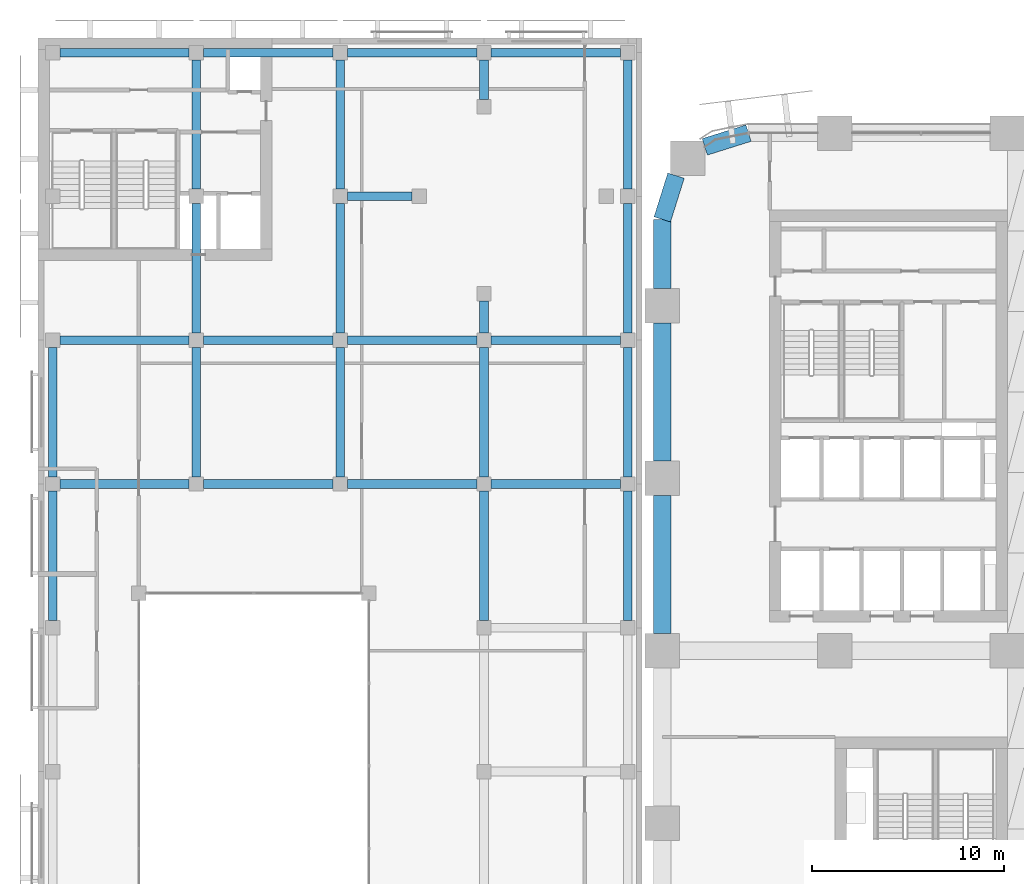
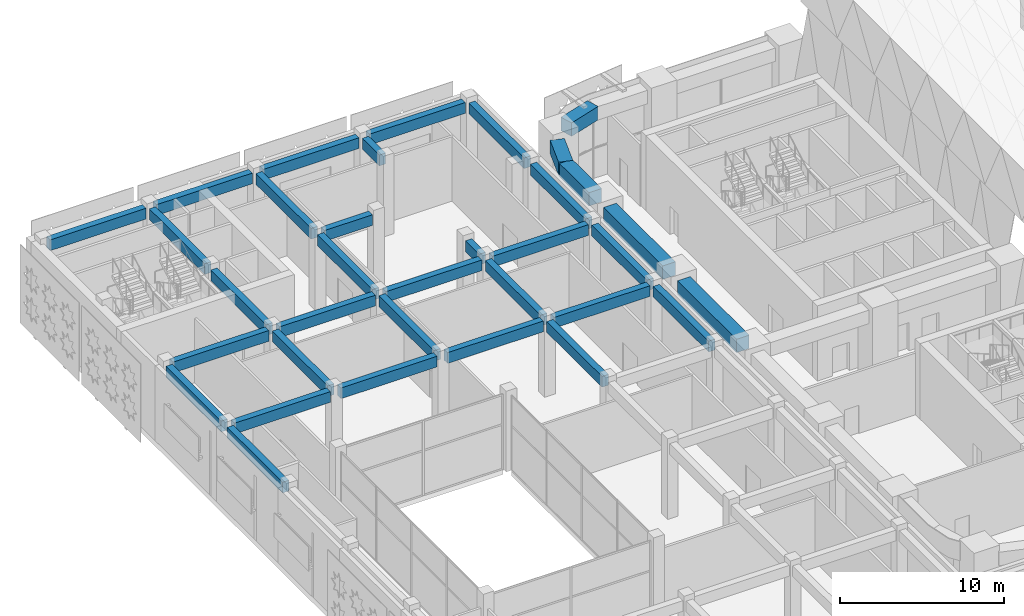
# One storey, part 7 of 46: 34 beams.
"""IFC4 building model written with IfcOpenShell, lengths in metres."""

from ifc_helpers import new_model, si_unit, direction, frame, origin, origin_2d, place, context, subcontext, project, spatial, rectangle, extrude, material, material_profile, profile_set, type_object, element, save


model = new_model("IFC4")

# Units and contexts
model_context = context("Model", 3, precision=1e-05, world=origin(), true_north=direction((0.0, 1.0)))
body_context = subcontext(model_context, "Body", "Model", "MODEL_VIEW")
ifc_project = project(units=[si_unit("LENGTHUNIT", "METRE"), si_unit("AREAUNIT", "SQUARE_METRE"), si_unit("VOLUMEUNIT", "CUBIC_METRE"), si_unit("PLANEANGLEUNIT", "RADIAN"), si_unit("MASSUNIT", "GRAM", prefix="KILO")], contexts=[model_context])

# Site, building, storey
site_placement = place(None, origin())
site = spatial("IfcSite", under=ifc_project, at=site_placement, CompositionType="ELEMENT")
building_placement = place(site_placement, origin())
building = spatial("IfcBuilding", under=site, at=building_placement, Name="Tessera Arch", CompositionType="ELEMENT")
storey_placement = place(building_placement, frame((0.0, 0.0, 8.0)))
storey = spatial("IfcBuildingStorey", under=building, at=storey_placement, Name="L01", CompositionType="ELEMENT", Elevation=8.0)

# Beams
ifc_material_1 = material(Name="Concrete C40/50", Category="concrete")
ifc_material_profile_1 = material_profile(ifc_material_1, rectangle(XDim=0.449951171875, YDim=0.800048828125, at=origin_2d()), Name="Museum beam 450 x 800 Concrete C40/50")
ifc_profile_set_1 = profile_set([ifc_material_profile_1], Name="Concrete C40/50")
beam_type_1 = type_object("IfcBeamType", Name="Museum beam 450 x 800 Concrete C40/50", PredefinedType="BEAM", material=ifc_profile_set_1)
for number, where, z_axis, x_axis, name in (
    (1, (-31.800048828125, 28.574951171875, 5.18994140625), (0.0, 1.0, 0.0), (-1.0, 0.0, 0.0), "Museum beam L01 8"),
    (2, (-31.800048828125, 36.074951171875, 5.18994140625), (0.0, 1.0, 0.0), (-1.0, 0.0, 0.0), "Museum beam L01 9"),
    (3, (-24.300048828125, 36.074951171875, 5.18994140625), (0.0, 1.0, 0.0), (-1.0, 0.0, 0.0), "Museum beam L01 13"),
    (4, (-24.300048828125, 43.574951171875, 5.18994140625), (0.0, 1.0, 0.0), (-1.0, 0.0, 0.0), "Museum beam L01 14"),
    (5, (-24.300048828125, 51.074951171875, 5.18994140625), (0.0, 1.0, 0.0), (-1.0, 0.0, 0.0), "Museum beam L01 15"),
    (6, (-16.800048828125, 36.074951171875, 5.18994140625), (0.0, 1.0, 0.0), (-1.0, 0.0, 0.0), "Museum beam L01 18"),
    (7, (-16.800048828125, 43.574951171875, 5.18994140625), (0.0, 1.0, 0.0), (-1.0, 0.0, 0.0), "Museum beam L01 19"),
    (8, (-16.800048828125, 51.074951171875, 5.18994140625), (0.0, 1.0, 0.0), (-1.0, 0.0, 0.0), "Museum beam L01 20"),
    (9, (-9.300048828125, 28.574951171875, 5.18994140625), (0.0, 1.0, 0.0), (-1.0, 0.0, 0.0), "Museum beam L01 30"),
    (10, (-9.300048828125, 36.074951171875, 5.18994140625), (0.0, 1.0, 0.0), (-1.0, 0.0, 0.0), "Museum beam L01 31"),
):
    element("IfcBeam", number, at=place(storey_placement, frame(where, z_axis=z_axis, x_axis=x_axis)), inside=storey, type_object=beam_type_1, Name=name, PredefinedType="BEAM", context=body_context, shape_type="SweptSolid", body=[
        extrude(rectangle(XDim=0.449951171875, YDim=0.800048828125, at=origin_2d()), origin(), (0.0, 0.0, 1.0), 6.75),
    ])
beam_1_placement = place(storey_placement, frame((-9.300048828125, 43.574951171875, 5.18994140625), z_axis=(0.0, 1.0, 0.0), x_axis=(-1.0, 0.0, 0.0)))
element("IfcBeam", 11, at=beam_1_placement, inside=storey, type_object=beam_type_1, Name="Museum beam L01 32", PredefinedType="BEAM", context=body_context, shape_type="SweptSolid", body=[
    extrude(rectangle(XDim=0.449951171875, YDim=0.800048828125, at=origin_2d()), origin(), (0.0, 0.0, 1.0), 1.675048828125),
])
beam_2_placement = place(storey_placement, frame((-9.300048828125, 55.75, 5.18994140625), z_axis=(0.0, 1.0, 0.0), x_axis=(-1.0, 0.0, 0.0)))
element("IfcBeam", 12, at=beam_2_placement, inside=storey, type_object=beam_type_1, Name="Museum beam L01 33", PredefinedType="BEAM", context=body_context, shape_type="SweptSolid", body=[
    extrude(rectangle(XDim=0.449951171875, YDim=0.800048828125, at=origin_2d()), origin(), (0.0, 0.0, 1.0), 2.074951171875),
])
for number, where, z_axis, x_axis, name in (
    (13, (-1.800048828125, 28.574951171875, 5.18994140625), (0.0, 1.0, 0.0), (-1.0, 0.0, 0.0), "Museum beam L01 38"),
    (14, (-1.800048828125, 36.074951171875, 5.18994140625), (0.0, 1.0, 0.0), (-1.0, 0.0, 0.0), "Museum beam L01 39"),
    (15, (-1.800048828125, 43.574951171875, 5.18994140625), (0.0, 1.0, 0.0), (-1.0, 0.0, 0.0), "Museum beam L01 40"),
    (16, (-1.800048828125, 51.074951171875, 5.18994140625), (0.0, 1.0, 0.0), (-1.0, 0.0, 0.0), "Museum beam L01 41"),
    (17, (-31.425048828125, 35.699951171875, 5.18994140625), (1.0, 0.0, 0.0), (0.0, 1.0, 0.0), "Museum beam L01 67"),
    (18, (-23.925048828125, 35.699951171875, 5.18994140625), (1.0, 0.0, 0.0), (0.0, 1.0, 0.0), "Museum beam L01 68"),
    (19, (-16.425048828125, 35.699951171875, 5.18994140625), (1.0, 0.0, 0.0), (0.0, 1.0, 0.0), "Museum beam L01 69"),
    (20, (-8.925048828125, 35.699951171875, 5.18994140625), (1.0, 0.0, 0.0), (0.0, 1.0, 0.0), "Museum beam L01 70"),
    (21, (-31.425048828125, 43.199951171875, 5.18994140625), (1.0, 0.0, 0.0), (0.0, 1.0, 0.0), "Museum beam L01 71"),
    (22, (-23.925048828125, 43.199951171875, 5.18994140625), (1.0, 0.0, 0.0), (0.0, 1.0, 0.0), "Museum beam L01 72"),
    (23, (-16.425048828125, 43.199951171875, 5.18994140625), (1.0, 0.0, 0.0), (0.0, 1.0, 0.0), "Museum beam L01 73"),
    (24, (-8.925048828125, 43.199951171875, 5.18994140625), (1.0, 0.0, 0.0), (0.0, 1.0, 0.0), "Museum beam L01 74"),
):
    element("IfcBeam", number, at=place(storey_placement, frame(where, z_axis=z_axis, x_axis=x_axis)), inside=storey, type_object=beam_type_1, Name=name, PredefinedType="BEAM", context=body_context, shape_type="SweptSolid", body=[
        extrude(rectangle(XDim=0.449951171875, YDim=0.800048828125, at=origin_2d()), origin(), (0.0, 0.0, 1.0), 6.75),
    ])
beam_3_placement = place(storey_placement, frame((-16.425048828125, 50.699951171875, 5.18994140625), z_axis=(1.0, 0.0, 0.0), x_axis=(0.0, 1.0, 0.0)))
element("IfcBeam", 25, at=beam_3_placement, inside=storey, type_object=beam_type_1, Name="Museum beam L01 75", PredefinedType="BEAM", context=body_context, shape_type="SweptSolid", body=[
    extrude(rectangle(XDim=0.449951171875, YDim=0.800048828125, at=origin_2d()), origin(), (0.0, 0.0, 1.0), 3.375),
])
for number, where, z_axis, x_axis, name in (
    (26, (-31.425048828125, 58.199951171875, 5.18994140625), (1.0, 0.0, 0.0), (0.0, 1.0, 0.0), "Museum beam L01 76"),
    (27, (-23.925048828125, 58.199951171875, 5.18994140625), (1.0, 0.0, 0.0), (0.0, 1.0, 0.0), "Museum beam L01 77"),
    (28, (-16.425048828125, 58.199951171875, 5.18994140625), (1.0, 0.0, 0.0), (0.0, 1.0, 0.0), "Museum beam L01 78"),
    (29, (-8.925048828125, 58.199951171875, 5.18994140625), (1.0, 0.0, 0.0), (0.0, 1.0, 0.0), "Museum beam L01 79"),
):
    element("IfcBeam", number, at=place(storey_placement, frame(where, z_axis=z_axis, x_axis=x_axis)), inside=storey, type_object=beam_type_1, Name=name, PredefinedType="BEAM", context=body_context, shape_type="SweptSolid", body=[
        extrude(rectangle(XDim=0.449951171875, YDim=0.800048828125, at=origin_2d()), origin(), (0.0, 0.0, 1.0), 6.75),
    ])
ifc_material_2 = material(Name="Concrete C80/95", Category="concrete")
ifc_material_profile_2 = material_profile(ifc_material_2, rectangle(XDim=0.89990234375, YDim=1.0, at=origin_2d()), Name="RC spandrel beam 900 x 1000 Concrete C80/95")
ifc_profile_set_2 = profile_set([ifc_material_profile_2], Name="Concrete C80/95")
beam_type_2 = type_object("IfcBeamType", Name="RC spandrel beam 900 x 1000 Concrete C80/95", PredefinedType="BEAM", material=ifc_profile_set_2)
for number, where, z_axis, x_axis, name in (
    (30, (4.5, 54.0, 5.090087890625), (-0.954041251279, -0.299675309057, 0.0), (0.299675309057, -0.954041251279, 0.0), "Spandrel beam L01 N54.0/1.2"),
    (31, (0.716796875, 51.781982421875, 5.090087890625), (-0.299675309057, -0.954041251279, 0.0), (0.954041251279, -0.299675309057, 0.0), "Spandrel beam L01 W0.0/0.1"),
):
    element("IfcBeam", number, at=place(storey_placement, frame(where, z_axis=z_axis, x_axis=x_axis)), inside=storey, type_object=beam_type_2, Name=name, PredefinedType="BEAM", context=body_context, shape_type="SweptSolid", body=[
        extrude(rectangle(XDim=0.89990234375, YDim=1.0, at=origin_2d()), origin(), (0.0, 0.0, 1.0), 2.391845703125),
    ])
beam_4_placement = place(storey_placement, frame((0.0, 49.5, 5.090087890625), z_axis=(0.0, -1.0, 0.0), x_axis=(1.0, 0.0, 0.0)))
element("IfcBeam", 32, at=beam_4_placement, inside=storey, type_object=beam_type_2, Name="Spandrel beam L01 W0.0/0.2", PredefinedType="BEAM", context=body_context, shape_type="SweptSolid", body=[
    extrude(rectangle(XDim=0.89990234375, YDim=1.0, at=origin_2d()), origin(), (0.0, 0.0, 1.0), 3.60009765625),
])
for number, where, z_axis, x_axis, name in (
    (33, (0.0, 44.10009765625, 5.090087890625), (0.0, -1.0, 0.0), (1.0, 0.0, 0.0), "Spandrel beam L01 W0.0/1"),
    (34, (0.0, 35.10009765625, 5.090087890625), (0.0, -1.0, 0.0), (1.0, 0.0, 0.0), "Spandrel beam L01 W0.0/2"),
):
    element("IfcBeam", number, at=place(storey_placement, frame(where, z_axis=z_axis, x_axis=x_axis)), inside=storey, type_object=beam_type_2, Name=name, PredefinedType="BEAM", context=body_context, shape_type="SweptSolid", body=[
        extrude(rectangle(XDim=0.89990234375, YDim=1.0, at=origin_2d()), origin(), (0.0, 0.0, 1.0), 7.2001953125),
    ])

save(model, "model.ifc")
